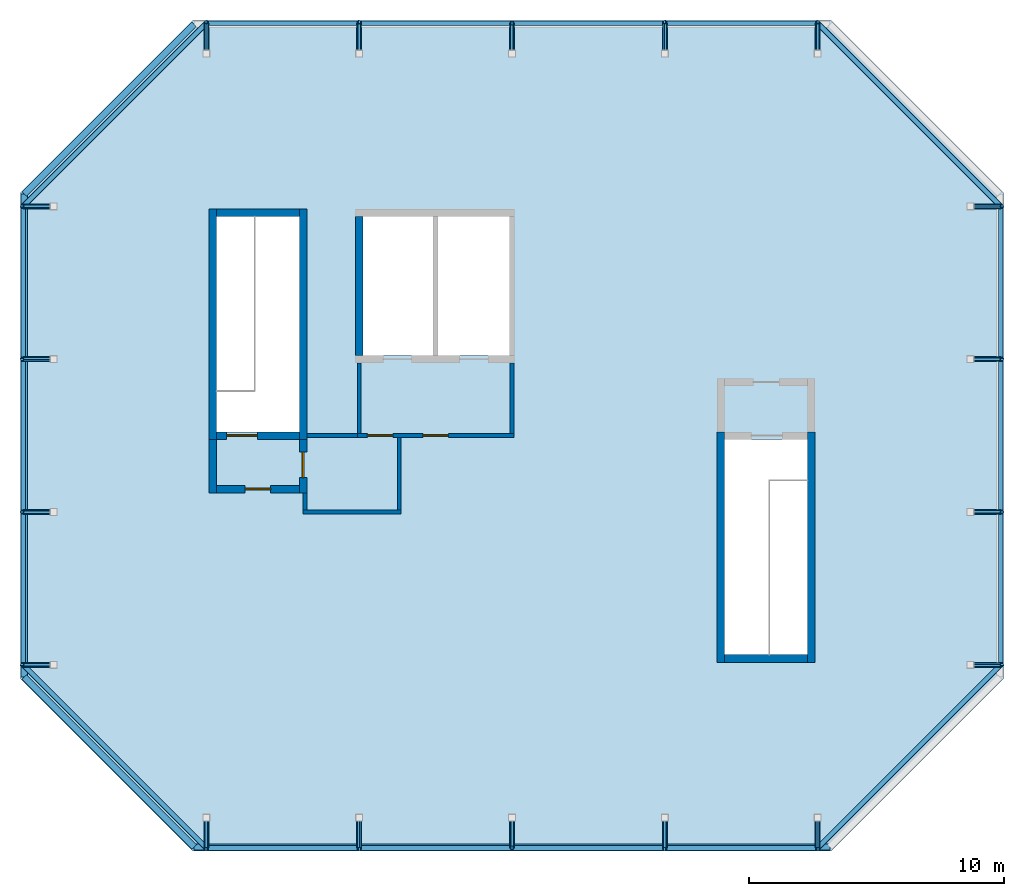
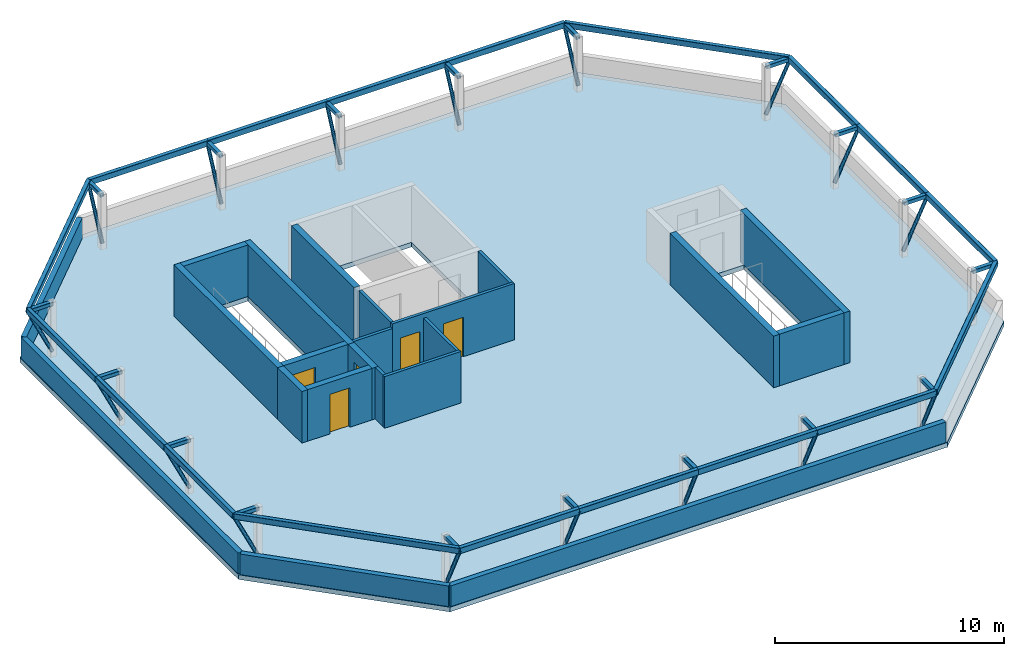
# One storey, part 3 of 6: 36 beams, 22 walls, 18 members, 5 doors, 1 slab, 5 openings.
"""IFC4 building model written with IfcOpenShell, lengths in metres."""

from ifc_helpers import new_model, si_unit, direction, frame, frame_2d, origin, origin_2d, place, context, subcontext, project, spatial, polyline, rectangle, hollow_rectangle, hollow_circle, outline, extrude, material, layer, layer_set, material_profile, profile_set, type_object, element, fill, save


model = new_model("IFC4")

# Units and contexts
model_context = context("Model", 3, precision=1e-05, world=origin(), true_north=direction((0.0, 1.0)))
body_context = subcontext(model_context, "Body", "Model", "MODEL_VIEW")
ifc_project = project(units=[si_unit("LENGTHUNIT", "METRE"), si_unit("AREAUNIT", "SQUARE_METRE"), si_unit("VOLUMEUNIT", "CUBIC_METRE"), si_unit("PLANEANGLEUNIT", "RADIAN"), si_unit("MASSUNIT", "GRAM", prefix="KILO")], contexts=[model_context])

# Site, building, storey
site_placement = place(None, origin())
site = spatial("IfcSite", under=ifc_project, at=site_placement, CompositionType="ELEMENT")
building_placement = place(site_placement, origin())
building = spatial("IfcBuilding", under=site, at=building_placement, Name="Highveld Stack Headquarters", CompositionType="ELEMENT")
storey_placement = place(building_placement, frame((0.0, 0.0, 305.699951171875)))
storey = spatial("IfcBuildingStorey", under=building, at=storey_placement, Name="RF", CompositionType="ELEMENT", Elevation=305.699951171875)

# Beams
ifc_material_1 = material(Name="Steel S355JR", Category="steel")
ifc_material_profile_1 = material_profile(ifc_material_1, hollow_rectangle(XDim=0.199951171875, YDim=0.199951171875, WallThickness=0.010009765625, InnerFilletRadius=0.010009765625, OuterFilletRadius=0.014892578125, at=origin_2d()), Name="200x200x10 SHS")
ifc_profile_set_1 = profile_set([ifc_material_profile_1], Name="Steel S355JR")
beam_type_1 = type_object("IfcBeamType", Name="LANTERN ARM 200x200x10 SHS", PredefinedType="BEAM", material=ifc_profile_set_1)
for number, where, z_axis, x_axis, name in (
    (1, (-12.0, -6.0, 2.800048828125), (-1.0, 0.0, 0.0), (0.0, -1.0, 0.0), "Lantern arm 4/D"),
    (2, (-12.0, 0.0, 2.800048828125), (-1.0, 0.0, 0.0), (0.0, -1.0, 0.0), "Lantern arm 4/E"),
    (3, (-12.0, 6.0, 2.800048828125), (-1.0, 0.0, 0.0), (0.0, -1.0, 0.0), "Lantern arm 4/F"),
    (4, (-12.0, 12.0, 2.800048828125), (-1.0, 0.0, 0.0), (0.0, -1.0, 0.0), "Lantern arm 4/G"),
    (5, (-6.0, -12.0, 2.800048828125), (0.0, -1.0, 0.0), (1.0, 0.0, 0.0), "Lantern arm 5/C"),
    (6, (-6.0, 18.0, 2.800048828125), (0.0, 1.0, 0.0), (-1.0, 0.0, 0.0), "Lantern arm 5/H"),
    (7, (0.0, -12.0, 2.800048828125), (0.0, -1.0, 0.0), (1.0, 0.0, 0.0), "Lantern arm 6/C"),
    (8, (0.0, 18.0, 2.800048828125), (0.0, 1.0, 0.0), (-1.0, 0.0, 0.0), "Lantern arm 6/H"),
    (9, (6.0, -12.0, 2.800048828125), (0.0, -1.0, 0.0), (1.0, 0.0, 0.0), "Lantern arm 7/C"),
    (10, (6.0, 18.0, 2.800048828125), (0.0, 1.0, 0.0), (-1.0, 0.0, 0.0), "Lantern arm 7/H"),
    (11, (12.0, -12.0, 2.800048828125), (0.0, -1.0, 0.0), (1.0, 0.0, 0.0), "Lantern arm 8/C"),
    (12, (12.0, 18.0, 2.800048828125), (0.0, 1.0, 0.0), (-1.0, 0.0, 0.0), "Lantern arm 8/H"),
    (13, (18.0, -12.0, 2.800048828125), (0.0, -1.0, 0.0), (1.0, 0.0, 0.0), "Lantern arm 9/C"),
    (14, (18.0, 18.0, 2.800048828125), (0.0, 1.0, 0.0), (-1.0, 0.0, 0.0), "Lantern arm 9/H"),
    (15, (24.0, -6.0, 2.800048828125), (1.0, 0.0, 0.0), (0.0, 1.0, 0.0), "Lantern arm 10/D"),
    (16, (24.0, 0.0, 2.800048828125), (1.0, 0.0, 0.0), (0.0, 1.0, 0.0), "Lantern arm 10/E"),
    (17, (24.0, 6.0, 2.800048828125), (1.0, 0.0, 0.0), (0.0, 1.0, 0.0), "Lantern arm 10/F"),
    (18, (24.0, 12.0, 2.800048828125), (1.0, 0.0, 0.0), (0.0, 1.0, 0.0), "Lantern arm 10/G"),
):
    element("IfcBeam", number, at=place(storey_placement, frame(where, z_axis=z_axis, x_axis=x_axis)), inside=storey, type_object=beam_type_1, Name=name, PredefinedType="BEAM", context=body_context, shape_type="SweptSolid", body=[
        extrude(hollow_rectangle(XDim=0.199951171875, YDim=0.199951171875, WallThickness=0.010009765625, InnerFilletRadius=0.010009765625, OuterFilletRadius=0.014892578125, at=origin_2d()), origin(), (0.0, 0.0, 1.0), 1.18994140625),
    ])
ifc_material_2 = material(Name="Steel S355JR", Category="steel")
ifc_material_profile_2 = material_profile(ifc_material_2, hollow_rectangle(XDim=0.199951171875, YDim=0.300048828125, WallThickness=0.010009765625, InnerFilletRadius=0.010009765625, OuterFilletRadius=0.014892578125, at=origin_2d()), Name="300x200x10 RHS")
ifc_profile_set_2 = profile_set([ifc_material_profile_2], Name="Steel S355JR")
beam_type_2 = type_object("IfcBeamType", Name="LANTERN CAP RING 300x200x10 RHS", PredefinedType="BEAM", material=ifc_profile_set_2)
beam_1_placement = place(storey_placement, frame((-13.18994140625, 0.0, 2.800048828125), z_axis=(0.0, -1.0, 0.0), x_axis=(1.0, 0.0, 0.0)))
element("IfcBeam", 19, at=beam_1_placement, inside=storey, type_object=beam_type_2, Name="Lantern cap ring 01", PredefinedType="BEAM", context=body_context, shape_type="SweptSolid", body=[
    extrude(hollow_rectangle(XDim=0.199951171875, YDim=0.300048828125, WallThickness=0.010009765625, InnerFilletRadius=0.010009765625, OuterFilletRadius=0.014892578125, at=origin_2d()), origin(), (0.0, 0.0, 1.0), 6.0),
])
beam_2_placement = place(storey_placement, frame((-13.18994140625, -6.0, 2.800048828125), z_axis=(0.707106781187, -0.707106781187, 0.0), x_axis=(0.707106781187, 0.707106781187, 0.0)))
element("IfcBeam", 20, at=beam_2_placement, inside=storey, type_object=beam_type_2, Name="Lantern cap ring 02", PredefinedType="BEAM", context=body_context, shape_type="SweptSolid", body=[
    extrude(hollow_rectangle(XDim=0.199951171875, YDim=0.300048828125, WallThickness=0.010009765625, InnerFilletRadius=0.010009765625, OuterFilletRadius=0.014892578125, at=origin_2d()), origin(), (0.0, 0.0, 1.0), 10.168212890625),
])
for number, where, z_axis, x_axis, name in (
    (21, (-6.0, -13.18994140625, 2.800048828125), (1.0, 0.0, 0.0), (0.0, 1.0, 0.0), "Lantern cap ring 03"),
    (22, (0.0, -13.18994140625, 2.800048828125), (1.0, 0.0, 0.0), (0.0, 1.0, 0.0), "Lantern cap ring 04"),
    (23, (6.0, -13.18994140625, 2.800048828125), (1.0, 0.0, 0.0), (0.0, 1.0, 0.0), "Lantern cap ring 05"),
    (24, (12.0, -13.18994140625, 2.800048828125), (1.0, 0.0, 0.0), (0.0, 1.0, 0.0), "Lantern cap ring 06"),
):
    element("IfcBeam", number, at=place(storey_placement, frame(where, z_axis=z_axis, x_axis=x_axis)), inside=storey, type_object=beam_type_2, Name=name, PredefinedType="BEAM", context=body_context, shape_type="SweptSolid", body=[
        extrude(hollow_rectangle(XDim=0.199951171875, YDim=0.300048828125, WallThickness=0.010009765625, InnerFilletRadius=0.010009765625, OuterFilletRadius=0.014892578125, at=origin_2d()), origin(), (0.0, 0.0, 1.0), 6.0),
    ])
beam_3_placement = place(storey_placement, frame((18.0, -13.18994140625, 2.800048828125), z_axis=(0.707106781187, 0.707106781187, 0.0), x_axis=(-0.707106781187, 0.707106781187, 0.0)))
element("IfcBeam", 25, at=beam_3_placement, inside=storey, type_object=beam_type_2, Name="Lantern cap ring 07", PredefinedType="BEAM", context=body_context, shape_type="SweptSolid", body=[
    extrude(hollow_rectangle(XDim=0.199951171875, YDim=0.300048828125, WallThickness=0.010009765625, InnerFilletRadius=0.010009765625, OuterFilletRadius=0.014892578125, at=origin_2d()), origin(), (0.0, 0.0, 1.0), 10.168212890625),
])
for number, where, z_axis, x_axis, name in (
    (26, (25.18994140625, -6.0, 2.800048828125), (0.0, 1.0, 0.0), (-1.0, 0.0, 0.0), "Lantern cap ring 08"),
    (27, (25.18994140625, 0.0, 2.800048828125), (0.0, 1.0, 0.0), (-1.0, 0.0, 0.0), "Lantern cap ring 09"),
    (28, (25.18994140625, 6.0, 2.800048828125), (0.0, 1.0, 0.0), (-1.0, 0.0, 0.0), "Lantern cap ring 10"),
):
    element("IfcBeam", number, at=place(storey_placement, frame(where, z_axis=z_axis, x_axis=x_axis)), inside=storey, type_object=beam_type_2, Name=name, PredefinedType="BEAM", context=body_context, shape_type="SweptSolid", body=[
        extrude(hollow_rectangle(XDim=0.199951171875, YDim=0.300048828125, WallThickness=0.010009765625, InnerFilletRadius=0.010009765625, OuterFilletRadius=0.014892578125, at=origin_2d()), origin(), (0.0, 0.0, 1.0), 6.0),
    ])
beam_4_placement = place(storey_placement, frame((25.18994140625, 12.0, 2.800048828125), z_axis=(-0.707106781187, 0.707106781187, 0.0), x_axis=(-0.707106781187, -0.707106781187, 0.0)))
element("IfcBeam", 29, at=beam_4_placement, inside=storey, type_object=beam_type_2, Name="Lantern cap ring 11", PredefinedType="BEAM", context=body_context, shape_type="SweptSolid", body=[
    extrude(hollow_rectangle(XDim=0.199951171875, YDim=0.300048828125, WallThickness=0.010009765625, InnerFilletRadius=0.010009765625, OuterFilletRadius=0.014892578125, at=origin_2d()), origin(), (0.0, 0.0, 1.0), 10.168212890625),
])
for number, where, z_axis, x_axis, name in (
    (30, (18.0, 19.18994140625, 2.800048828125), (-1.0, 0.0, 0.0), (0.0, -1.0, 0.0), "Lantern cap ring 12"),
    (31, (12.0, 19.18994140625, 2.800048828125), (-1.0, 0.0, 0.0), (0.0, -1.0, 0.0), "Lantern cap ring 13"),
    (32, (6.0, 19.18994140625, 2.800048828125), (-1.0, 0.0, 0.0), (0.0, -1.0, 0.0), "Lantern cap ring 14"),
    (33, (0.0, 19.18994140625, 2.800048828125), (-1.0, 0.0, 0.0), (0.0, -1.0, 0.0), "Lantern cap ring 15"),
):
    element("IfcBeam", number, at=place(storey_placement, frame(where, z_axis=z_axis, x_axis=x_axis)), inside=storey, type_object=beam_type_2, Name=name, PredefinedType="BEAM", context=body_context, shape_type="SweptSolid", body=[
        extrude(hollow_rectangle(XDim=0.199951171875, YDim=0.300048828125, WallThickness=0.010009765625, InnerFilletRadius=0.010009765625, OuterFilletRadius=0.014892578125, at=origin_2d()), origin(), (0.0, 0.0, 1.0), 6.0),
    ])
beam_5_placement = place(storey_placement, frame((-6.0, 19.18994140625, 2.800048828125), z_axis=(-0.707106781187, -0.707106781187, 0.0), x_axis=(0.707106781187, -0.707106781187, 0.0)))
element("IfcBeam", 34, at=beam_5_placement, inside=storey, type_object=beam_type_2, Name="Lantern cap ring 16", PredefinedType="BEAM", context=body_context, shape_type="SweptSolid", body=[
    extrude(hollow_rectangle(XDim=0.199951171875, YDim=0.300048828125, WallThickness=0.010009765625, InnerFilletRadius=0.010009765625, OuterFilletRadius=0.014892578125, at=origin_2d()), origin(), (0.0, 0.0, 1.0), 10.168212890625),
])
for number, where, z_axis, x_axis, name in (
    (35, (-13.18994140625, 12.0, 2.800048828125), (0.0, -1.0, 0.0), (1.0, 0.0, 0.0), "Lantern cap ring 17"),
    (36, (-13.18994140625, 6.0, 2.800048828125), (0.0, -1.0, 0.0), (1.0, 0.0, 0.0), "Lantern cap ring 18"),
):
    element("IfcBeam", number, at=place(storey_placement, frame(where, z_axis=z_axis, x_axis=x_axis)), inside=storey, type_object=beam_type_2, Name=name, PredefinedType="BEAM", context=body_context, shape_type="SweptSolid", body=[
        extrude(hollow_rectangle(XDim=0.199951171875, YDim=0.300048828125, WallThickness=0.010009765625, InnerFilletRadius=0.010009765625, OuterFilletRadius=0.014892578125, at=origin_2d()), origin(), (0.0, 0.0, 1.0), 6.0),
    ])

# Members
ifc_material_3 = material(Name="Steel S355JR", Category="steel")
ifc_material_profile_3 = material_profile(ifc_material_3, hollow_circle(Radius=0.084228515625, WallThickness=0.00634765625, at=origin_2d()), Name="168.3x6.3 CHS")
ifc_profile_set_3 = profile_set([ifc_material_profile_3], Name="Steel S355JR")
member_type = type_object("IfcMemberType", Name="LANTERN KICKER 168.3x6.3 CHS", PredefinedType="BRACE", material=ifc_profile_set_3)
for number, where, z_axis, x_axis, name in (
    (37, (-12.0, -6.0, 0.25), (-0.437302004591, 0.0, 0.899314715092), (0.0, -1.0, 0.0), "Lantern kicker 4/D"),
    (38, (-12.0, 0.0, 0.25), (-0.437302004591, 0.0, 0.899314715092), (0.0, -1.0, 0.0), "Lantern kicker 4/E"),
    (39, (-12.0, 6.0, 0.25), (-0.437302004591, 0.0, 0.899314715092), (0.0, -1.0, 0.0), "Lantern kicker 4/F"),
    (40, (-12.0, 12.0, 0.25), (-0.437302004591, 0.0, 0.899314715092), (0.0, -1.0, 0.0), "Lantern kicker 4/G"),
    (41, (-6.0, -12.0, 0.25), (0.0, -0.437302004591, 0.899314715092), (1.0, 0.0, 0.0), "Lantern kicker 5/C"),
    (42, (-6.0, 18.0, 0.25), (0.0, 0.437302004591, 0.899314715092), (-1.0, 0.0, 0.0), "Lantern kicker 5/H"),
    (43, (0.0, -12.0, 0.25), (0.0, -0.437302004591, 0.899314715092), (1.0, 0.0, 0.0), "Lantern kicker 6/C"),
    (44, (0.0, 18.0, 0.25), (0.0, 0.437302004591, 0.899314715092), (-1.0, 0.0, 0.0), "Lantern kicker 6/H"),
):
    element("IfcMember", number, at=place(storey_placement, frame(where, z_axis=z_axis, x_axis=x_axis)), inside=storey, type_object=member_type, Name=name, PredefinedType="BRACE", context=body_context, shape_type="SweptSolid", body=[
        extrude(hollow_circle(Radius=0.084228515625, WallThickness=0.00634765625, at=origin_2d()), origin(), (0.0, 0.0, 1.0), 2.83544921875),
    ])
for number, where, z_axis, x_axis, name in (
    (45, (6.0, -12.0, 0.25), (0.0, -0.422861717377, 0.906194221995), (1.0, 0.0, 0.0), "Lantern kicker 7/C"),
    (46, (6.0, 18.0, 0.25), (0.0, 0.422861717377, 0.906194221995), (-1.0, 0.0, 0.0), "Lantern kicker 7/H"),
):
    element("IfcMember", number, at=place(storey_placement, frame(where, z_axis=z_axis, x_axis=x_axis)), inside=storey, type_object=member_type, Name=name, PredefinedType="BRACE", context=body_context, shape_type="SweptSolid", body=[
        extrude(hollow_circle(Radius=0.084228515625, WallThickness=0.00634765625, at=origin_2d()), origin(), (0.0, 0.0, 1.0), 2.81396484375),
    ])
for number, where, z_axis, x_axis, name in (
    (47, (12.0, -12.0, 0.25), (0.0, -0.437302004591, 0.899314715092), (1.0, 0.0, 0.0), "Lantern kicker 8/C"),
    (48, (12.0, 18.0, 0.25), (0.0, 0.437302004591, 0.899314715092), (-1.0, 0.0, 0.0), "Lantern kicker 8/H"),
    (49, (18.0, -12.0, 0.25), (0.0, -0.437302004591, 0.899314715092), (1.0, 0.0, 0.0), "Lantern kicker 9/C"),
    (50, (18.0, 18.0, 0.25), (0.0, 0.437302004591, 0.899314715092), (-1.0, 0.0, 0.0), "Lantern kicker 9/H"),
    (51, (24.0, -6.0, 0.25), (0.437302004591, 0.0, 0.899314715092), (0.0, 1.0, 0.0), "Lantern kicker 10/D"),
    (52, (24.0, 0.0, 0.25), (0.437302004591, 0.0, 0.899314715092), (0.0, 1.0, 0.0), "Lantern kicker 10/E"),
    (53, (24.0, 6.0, 0.25), (0.437302004591, 0.0, 0.899314715092), (0.0, 1.0, 0.0), "Lantern kicker 10/F"),
    (54, (24.0, 12.0, 0.25), (0.437302004591, 0.0, 0.899314715092), (0.0, 1.0, 0.0), "Lantern kicker 10/G"),
):
    element("IfcMember", number, at=place(storey_placement, frame(where, z_axis=z_axis, x_axis=x_axis)), inside=storey, type_object=member_type, Name=name, PredefinedType="BRACE", context=body_context, shape_type="SweptSolid", body=[
        extrude(hollow_circle(Radius=0.084228515625, WallThickness=0.00634765625, at=origin_2d()), origin(), (0.0, 0.0, 1.0), 2.83544921875),
    ])

# Slab
ifc_material_4 = material(Name="Concrete C60/75", Category="concrete")
ifc_layer_1 = layer(ifc_material_4, 0.25)
ifc_layer_set_1 = layer_set([ifc_layer_1], Name="Concrete C60/75")
slab_type = type_object("IfcSlabType", Name="ROOF SLAB 250", PredefinedType="ROOF", material=ifc_layer_set_1)
slab_placement = place(storey_placement, frame((0.0, 0.0, -0.25)))
element("IfcSlab", 55, at=slab_placement, inside=storey, type_object=slab_type, Name="Roof slab RF", PredefinedType="ROOF", context=body_context, shape_type="SweptSolid", body=[
    extrude(outline(polyline([(-6.53857421875, -13.300048828125), (18.53857421875, -13.300048828125), (25.300048828125, -6.53857421875), (25.300048828125, 12.53857421875), (18.53857421875, 19.300048828125), (-6.53857421875, 19.300048828125), (-13.300048828125, 12.53857421875), (-13.300048828125, -6.53857421875), (-6.53857421875, -13.300048828125)]), holes=[polyline([(0.14990234375, 6.14990234375), (5.89990234375, 6.14990234375), (5.89990234375, 11.60009765625), (0.14990234375, 11.60009765625), (0.14990234375, 6.14990234375)]), polyline([(-5.60009765625, 3.14990234375), (-2.35009765625, 3.14990234375), (-2.35009765625, 11.60009765625), (-5.60009765625, 11.60009765625), (-5.60009765625, 3.14990234375)]), polyline([(14.35009765625, -5.60009765625), (17.60009765625, -5.60009765625), (17.60009765625, 2.85009765625), (14.35009765625, 2.85009765625), (14.35009765625, -5.60009765625)])]), origin(), (0.0, 0.0, 1.0), 0.25),
])

# Wall
ifc_material_5 = material(Name="Concrete C60/75", Category="concrete")
ifc_layer_2 = layer(ifc_material_5, 0.300048828125)
ifc_layer_set_2 = layer_set([ifc_layer_2], Name="Concrete C60/75")
wall_type_1 = type_object("IfcWallType", Name="CORE WALL 300 C60/75", PredefinedType="SHEAR", material=ifc_layer_set_2)
wall_1_placement = place(storey_placement, frame((0.0, 6.14990234375, 0.0), z_axis=(0.0, 0.0, 1.0), x_axis=(0.0, 1.0, 0.0)))
element("IfcWall", 56, at=wall_1_placement, inside=storey, type_object=wall_type_1, Name="Lift penthouse wall W", PredefinedType="SHEAR", context=body_context, shape_type="SweptSolid", body=[
    extrude(rectangle(XDim=5.4501953125, YDim=0.300048828125, at=frame_2d((2.72509765625, 0.0))), origin(), (0.0, 0.0, 1.0), 3.0),
])

# Wall, openings, doors
ifc_material_6 = material(Name="Concrete blockwork, plastered", Category="masonry")
ifc_layer_3 = layer(ifc_material_6, 0.14990234375)
ifc_layer_set_3 = layer_set([ifc_layer_3], Name="Concrete blockwork, plastered")
wall_type_2 = type_object("IfcWallType", Name="FIRE PARTITION 150 BLOCKWORK", PredefinedType="PARTITIONING", material=ifc_layer_set_3)
wall_2_placement = place(storey_placement, frame((-0.074951171875, 3.0, 0.0), z_axis=(0.0, 0.0, 1.0), x_axis=(1.0, 0.0, 0.0)))
wall_2 = element("IfcWall", 57, at=wall_2_placement, inside=storey, type_object=wall_type_2, Name="Roof lift lobby wall LS", PredefinedType="PARTITIONING", context=body_context, shape_type="SweptSolid", body=[
    extrude(rectangle(XDim=6.14990234375, YDim=0.14990234375, at=frame_2d((3.074951171875, 0.0))), origin(), (0.0, 0.0, 1.0), 3.0),
])
opening_1_placement = place(wall_2_placement, frame((2.574951171875, 0.0, 0.0)))
opening_1 = element("IfcOpeningElement", 58, at=opening_1_placement, cuts=wall_2, Name="Opening RF-01", PredefinedType="OPENING", context=body_context, shape_type="SweptSolid", body=[
    extrude(rectangle(XDim=1.0, YDim=2.10009765625, at=frame_2d((0.5, 1.050048828125))), frame((0.0, 0.0849609375, 0.0), z_axis=(0.0, -1.0, 0.0), x_axis=(1.0, 0.0, 0.0)), (0.0, 0.0, 1.0), 0.169921875),
])
opening_2_placement = place(wall_2_placement, frame((0.39990234375, 0.0, 0.0)))
opening_2 = element("IfcOpeningElement", 59, at=opening_2_placement, cuts=wall_2, Name="Opening RF-02", PredefinedType="OPENING", context=body_context, shape_type="SweptSolid", body=[
    extrude(rectangle(XDim=1.0, YDim=2.10009765625, at=frame_2d((0.5, 1.050048828125))), frame((0.0, 0.0849609375, 0.0), z_axis=(0.0, -1.0, 0.0), x_axis=(1.0, 0.0, 0.0)), (0.0, 0.0, 1.0), 0.169921875),
])
ifc_material_7 = material(Name="Steel fire door", Category="steel")
door_type_1 = type_object("IfcDoorType", Name="CORE ROOM FIRE DOOR D14 1000x2100", OperationType="SINGLE_SWING_LEFT", PredefinedType="DOOR", material=ifc_material_7)
door_1_placement = place(opening_2_placement, origin())
door_1 = element("IfcDoor", 60, at=door_1_placement, inside=storey, type_object=door_type_1, Name="Roof link door RF", OperationType="SINGLE_SWING_LEFT", OverallHeight=2.10009765625, OverallWidth=1.0, PredefinedType="DOOR", context=body_context, shape_type="SweptSolid", body=[
    extrude(rectangle(XDim=1.0, YDim=2.10009765625, at=frame_2d((0.5, 1.050048828125))), frame((0.0, 0.02490234375, 0.0), z_axis=(0.0, -1.0, 0.0), x_axis=(1.0, 0.0, 0.0)), (0.0, 0.0, 1.0), 0.050048828125),
])
fill(opening_2, door_1)
ifc_material_8 = material(Name="Galvanised steel door, weather-sealed", Category="steel")
door_type_2 = type_object("IfcDoorType", Name="ROOF ACCESS DOOR D12 1000x2100", OperationType="SINGLE_SWING_RIGHT", PredefinedType="DOOR", material=ifc_material_8)
door_2_placement = place(opening_1_placement, origin())
door_2 = element("IfcDoor", 61, at=door_2_placement, inside=storey, type_object=door_type_2, Name="Roof lift lobby door RF", OperationType="SINGLE_SWING_LEFT", OverallHeight=2.10009765625, OverallWidth=1.0, PredefinedType="DOOR", context=body_context, shape_type="SweptSolid", body=[
    extrude(rectangle(XDim=1.0, YDim=2.10009765625, at=frame_2d((0.5, 1.050048828125))), frame((0.0, 0.02490234375, 0.0), z_axis=(0.0, -1.0, 0.0), x_axis=(1.0, 0.0, 0.0)), (0.0, 0.0, 1.0), 0.050048828125),
])
fill(opening_1, door_2)

# Walls
for number, where, z_axis, x_axis, name in (
    (62, (0.0, 3.074951171875, 0.0), (0.0, 0.0, 1.0), (0.0, 1.0, 0.0), "Roof lift lobby wall LW"),
    (63, (6.0, 3.074951171875, 0.0), (0.0, 0.0, 1.0), (0.0, 1.0, 0.0), "Roof lift lobby wall LE"),
):
    element("IfcWall", number, at=place(storey_placement, frame(where, z_axis=z_axis, x_axis=x_axis)), inside=storey, type_object=wall_type_2, Name=name, PredefinedType="PARTITIONING", context=body_context, shape_type="SweptSolid", body=[
        extrude(rectangle(XDim=2.775146484375, YDim=0.14990234375, at=frame_2d((1.3876953125, 0.0))), origin(), (0.0, 0.0, 1.0), 3.0),
    ])
wall_3_placement = place(storey_placement, frame((-2.199951171875, 0.0, 0.0), z_axis=(0.0, 0.0, 1.0), x_axis=(1.0, 0.0, 0.0)))
element("IfcWall", 64, at=wall_3_placement, inside=storey, type_object=wall_type_2, Name="Roof link wall LkS", PredefinedType="PARTITIONING", context=body_context, shape_type="SweptSolid", body=[
    extrude(rectangle(XDim=3.849853515625, YDim=0.14990234375, at=frame_2d((1.9248046875, 0.0))), origin(), (0.0, 0.0, 1.0), 2.75),
])
wall_4_placement = place(storey_placement, frame((-2.050048828125, 3.0, 0.0), z_axis=(0.0, 0.0, 1.0), x_axis=(1.0, 0.0, 0.0)))
element("IfcWall", 65, at=wall_4_placement, inside=storey, type_object=wall_type_2, Name="Roof link wall LkN", PredefinedType="PARTITIONING", context=body_context, shape_type="SweptSolid", body=[
    extrude(rectangle(XDim=1.97509765625, YDim=0.14990234375, at=frame_2d((0.987548828125, 0.0))), origin(), (0.0, 0.0, 1.0), 2.75),
])
wall_5_placement = place(storey_placement, frame((1.574951171875, 0.074951171875, 0.0), z_axis=(0.0, 0.0, 1.0), x_axis=(0.0, 1.0, 0.0)))
element("IfcWall", 66, at=wall_5_placement, inside=storey, type_object=wall_type_2, Name="Roof link wall LkE", PredefinedType="PARTITIONING", context=body_context, shape_type="SweptSolid", body=[
    extrude(rectangle(XDim=2.85009765625, YDim=0.14990234375, at=frame_2d((1.425048828125, 0.0))), origin(), (0.0, 0.0, 1.0), 2.75),
])
wall_6_placement = place(storey_placement, frame((-2.125, 0.074951171875, 0.0), z_axis=(0.0, 0.0, 1.0), x_axis=(0.0, 1.0, 0.0)))
element("IfcWall", 67, at=wall_6_placement, inside=storey, type_object=wall_type_2, Name="Roof link wall LkW", PredefinedType="PARTITIONING", context=body_context, shape_type="SweptSolid", body=[
    extrude(rectangle(XDim=0.675048828125, YDim=0.14990234375, at=frame_2d((0.33740234375, 0.0))), origin(), (0.0, 0.0, 1.0), 2.75),
])
ifc_material_9 = material(Name="Concrete C40/50, precast parapet", Category="concrete")
ifc_layer_4 = layer(ifc_material_9, 0.25)
ifc_layer_set_4 = layer_set([ifc_layer_4], Name="Concrete C40/50, precast parapet")
wall_type_3 = type_object("IfcWallType", Name="PARAPET WALL PP1 250", PredefinedType="PARAPET", material=ifc_layer_set_4)
wall_7_placement = place(storey_placement, frame((-6.476318359375, -13.14990234375, 0.0), z_axis=(0.0, 0.0, 1.0), x_axis=(-0.707106781187, 0.707106781187, 0.0)))
element("IfcWall", 68, at=wall_7_placement, inside=storey, type_object=wall_type_3, Name="Roof parapet RF 1", PredefinedType="PARAPET", context=body_context, shape_type="SweptSolid", body=[
    extrude(rectangle(XDim=9.43798828125, YDim=0.25, at=frame_2d((4.718994140625, 0.0))), origin(), (0.0, 0.0, 1.0), 1.10009765625),
])
wall_8_placement = place(storey_placement, frame((-13.14990234375, -6.476318359375, 0.0), z_axis=(0.0, 0.0, 1.0), x_axis=(0.0, 1.0, 0.0)))
element("IfcWall", 69, at=wall_8_placement, inside=storey, type_object=wall_type_3, Name="Roof parapet RF 2", PredefinedType="PARAPET", context=body_context, shape_type="SweptSolid", body=[
    extrude(rectangle(XDim=18.95263671875, YDim=0.25, at=frame_2d((9.476318359375, 0.0))), origin(), (0.0, 0.0, 1.0), 1.10009765625),
])
wall_9_placement = place(storey_placement, frame((-13.14990234375, 12.476318359375, 0.0), z_axis=(0.0, 0.0, 1.0), x_axis=(0.707106781187, 0.707106781187, 0.0)))
element("IfcWall", 70, at=wall_9_placement, inside=storey, type_object=wall_type_3, Name="Roof parapet RF 3", PredefinedType="PARAPET", context=body_context, shape_type="SweptSolid", body=[
    extrude(rectangle(XDim=9.43798828125, YDim=0.25, at=frame_2d((4.718994140625, 0.0))), origin(), (0.0, 0.0, 1.0), 1.10009765625),
])
wall_10_placement = place(storey_placement, frame((18.476318359375, -13.14990234375, 0.0), z_axis=(0.0, 0.0, 1.0), x_axis=(-1.0, 0.0, 0.0)))
element("IfcWall", 71, at=wall_10_placement, inside=storey, type_object=wall_type_3, Name="Roof parapet RF 8", PredefinedType="PARAPET", context=body_context, shape_type="SweptSolid", body=[
    extrude(rectangle(XDim=24.95263671875, YDim=0.25, at=frame_2d((12.476318359375, 0.0))), origin(), (0.0, 0.0, 1.0), 1.10009765625),
])
ifc_material_10 = material(Name="Concrete blockwork, plastered", Category="masonry")
ifc_layer_5 = layer(ifc_material_10, 0.300048828125)
ifc_layer_set_5 = layer_set([ifc_layer_5], Name="Concrete blockwork, plastered")
wall_type_4 = type_object("IfcWallType", Name="STAIR ENCLOSURE HEAD WALL 300 BLOCKWORK", PredefinedType="PARTITIONING", material=ifc_layer_set_5)
wall_11_placement = place(storey_placement, frame((-5.75, 0.75, 0.0), z_axis=(0.0, 0.0, 1.0), x_axis=(0.0, 1.0, 0.0)))
element("IfcWall", 72, at=wall_11_placement, inside=storey, type_object=wall_type_4, Name="Stair S1 head-house wall LW", PredefinedType="PARTITIONING", context=body_context, shape_type="SweptSolid", body=[
    extrude(rectangle(XDim=2.10009765625, YDim=0.300048828125, at=frame_2d((1.050048828125, 0.0))), origin(), (0.0, 0.0, 1.0), 2.75),
])

# Wall, opening, door
wall_12_placement = place(storey_placement, frame((-2.199951171875, 0.75, 0.0), z_axis=(0.0, 0.0, 1.0), x_axis=(0.0, 1.0, 0.0)))
wall_12 = element("IfcWall", 73, at=wall_12_placement, inside=storey, type_object=wall_type_4, Name="Stair S1 head-house wall LE", PredefinedType="PARTITIONING", context=body_context, shape_type="SweptSolid", body=[
    extrude(rectangle(XDim=2.10009765625, YDim=0.300048828125, at=frame_2d((1.050048828125, 0.0))), origin(), (0.0, 0.0, 1.0), 2.75),
])
opening_3_placement = place(wall_12_placement, frame((0.60009765625, 0.0, 0.0)))
opening_3 = element("IfcOpeningElement", 74, at=opening_3_placement, cuts=wall_12, Name="Opening RF-03", PredefinedType="OPENING", context=body_context, shape_type="SweptSolid", body=[
    extrude(rectangle(XDim=1.0, YDim=2.10009765625, at=frame_2d((0.5, 1.050048828125))), frame((0.0, 0.159912109375, 0.0), z_axis=(0.0, -1.0, 0.0), x_axis=(1.0, 0.0, 0.0)), (0.0, 0.0, 1.0), 0.320068359375),
])
door_3_placement = place(opening_3_placement, origin())
door_3 = element("IfcDoor", 75, at=door_3_placement, inside=storey, type_object=door_type_1, Name="Roof link stair door RF", OperationType="SINGLE_SWING_RIGHT", OverallHeight=2.10009765625, OverallWidth=1.0, PredefinedType="DOOR", context=body_context, shape_type="SweptSolid", body=[
    extrude(rectangle(XDim=1.0, YDim=2.10009765625, at=frame_2d((0.5, 1.050048828125))), frame((0.0, 0.02490234375, 0.0), z_axis=(0.0, -1.0, 0.0), x_axis=(1.0, 0.0, 0.0)), (0.0, 0.0, 1.0), 0.050048828125),
])
fill(opening_3, door_3)

wall_13_placement = place(storey_placement, frame((-5.60009765625, 0.89990234375, 0.0), z_axis=(0.0, 0.0, 1.0), x_axis=(1.0, 0.0, 0.0)))
wall_13 = element("IfcWall", 76, at=wall_13_placement, inside=storey, type_object=wall_type_4, Name="Stair S1 head-house wall OUT", PredefinedType="PARTITIONING", context=body_context, shape_type="SweptSolid", body=[
    extrude(rectangle(XDim=3.25, YDim=0.300048828125, at=frame_2d((1.625, 0.0))), origin(), (0.0, 0.0, 1.0), 2.75),
])
opening_4_placement = place(wall_13_placement, frame((1.125, 0.0, 0.0)))
opening_4 = element("IfcOpeningElement", 77, at=opening_4_placement, cuts=wall_13, Name="Opening RF-05", PredefinedType="OPENING", context=body_context, shape_type="SweptSolid", body=[
    extrude(rectangle(XDim=1.0, YDim=2.10009765625, at=frame_2d((0.5, 1.050048828125))), frame((0.0, 0.159912109375, 0.0), z_axis=(0.0, -1.0, 0.0), x_axis=(1.0, 0.0, 0.0)), (0.0, 0.0, 1.0), 0.320068359375),
])
door_4_placement = place(opening_4_placement, origin())
door_4 = element("IfcDoor", 78, at=door_4_placement, inside=storey, type_object=door_type_2, Name="Roof access door S1 RF", OperationType="SINGLE_SWING_LEFT", OverallHeight=2.10009765625, OverallWidth=1.0, PredefinedType="DOOR", context=body_context, shape_type="SweptSolid", body=[
    extrude(rectangle(XDim=1.0, YDim=2.10009765625, at=frame_2d((0.5, 1.050048828125))), frame((0.0, 0.02490234375, 0.0), z_axis=(0.0, -1.0, 0.0), x_axis=(1.0, 0.0, 0.0)), (0.0, 0.0, 1.0), 0.050048828125),
])
fill(opening_4, door_4)

# Walls
ifc_material_11 = material(Name="Concrete C40/50", Category="concrete")
ifc_layer_6 = layer(ifc_material_11, 0.300048828125)
ifc_layer_set_6 = layer_set([ifc_layer_6], Name="Concrete C40/50")
wall_type_5 = type_object("IfcWallType", Name="STAIR ENCLOSURE WALL 300", PredefinedType="SOLIDWALL", material=ifc_layer_set_6)
for number, where, z_axis, x_axis, name in (
    (79, (-5.75, 2.85009765625, 0.0), (0.0, 0.0, 1.0), (0.0, 1.0, 0.0), "Stair S1 head-house wall W"),
    (80, (-2.199951171875, 2.85009765625, 0.0), (0.0, 0.0, 1.0), (0.0, 1.0, 0.0), "Stair S1 head-house wall E"),
):
    element("IfcWall", number, at=place(storey_placement, frame(where, z_axis=z_axis, x_axis=x_axis)), inside=storey, type_object=wall_type_5, Name=name, PredefinedType="SOLIDWALL", context=body_context, shape_type="SweptSolid", body=[
        extrude(rectangle(XDim=9.0498046875, YDim=0.300048828125, at=frame_2d((4.52490234375, 0.0))), origin(), (0.0, 0.0, 1.0), 2.75),
    ])
wall_14_placement = place(storey_placement, frame((-5.60009765625, 11.75, 0.0), z_axis=(0.0, 0.0, 1.0), x_axis=(1.0, 0.0, 0.0)))
element("IfcWall", 81, at=wall_14_placement, inside=storey, type_object=wall_type_5, Name="Stair S1 head-house wall FAR", PredefinedType="SOLIDWALL", context=body_context, shape_type="SweptSolid", body=[
    extrude(rectangle(XDim=3.25, YDim=0.300048828125, at=frame_2d((1.625, 0.0))), origin(), (0.0, 0.0, 1.0), 2.75),
])

# Wall, opening, door
wall_15_placement = place(storey_placement, frame((-5.60009765625, 3.0, 0.0), z_axis=(0.0, 0.0, 1.0), x_axis=(1.0, 0.0, 0.0)))
wall_15 = element("IfcWall", 82, at=wall_15_placement, inside=storey, type_object=wall_type_5, Name="Stair S1 head-house wall DOOR", PredefinedType="SOLIDWALL", context=body_context, shape_type="SweptSolid", body=[
    extrude(rectangle(XDim=3.25, YDim=0.300048828125, at=frame_2d((1.625, 0.0))), origin(), (0.0, 0.0, 1.0), 2.75),
])
opening_5_placement = place(wall_15_placement, frame((0.39990234375, 0.0, 0.0)))
opening_5 = element("IfcOpeningElement", 83, at=opening_5_placement, cuts=wall_15, Name="Opening RF-04", PredefinedType="OPENING", context=body_context, shape_type="SweptSolid", body=[
    extrude(rectangle(XDim=1.199951171875, YDim=2.10009765625, at=frame_2d((0.60009765625, 1.050048828125))), frame((0.0, 0.159912109375, 0.0), z_axis=(0.0, -1.0, 0.0), x_axis=(1.0, 0.0, 0.0)), (0.0, 0.0, 1.0), 0.320068359375),
])
ifc_material_12 = material(Name="Steel fire door", Category="steel")
door_type_3 = type_object("IfcDoorType", Name="STAIR FIRE DOOR D3 1200x2100", OperationType="SINGLE_SWING_LEFT", PredefinedType="DOOR", material=ifc_material_12)
door_5_placement = place(opening_5_placement, origin())
door_5 = element("IfcDoor", 84, at=door_5_placement, inside=storey, type_object=door_type_3, Name="Stair S1 door RF", OperationType="SINGLE_SWING_LEFT", OverallHeight=2.10009765625, OverallWidth=1.199951171875, PredefinedType="DOOR", context=body_context, shape_type="SweptSolid", body=[
    extrude(rectangle(XDim=1.199951171875, YDim=2.10009765625, at=frame_2d((0.60009765625, 1.050048828125))), frame((0.0, 0.02490234375, 0.0), z_axis=(0.0, -1.0, 0.0), x_axis=(1.0, 0.0, 0.0)), (0.0, 0.0, 1.0), 0.050048828125),
])
fill(opening_5, door_5)

# Walls
for number, where, z_axis, x_axis, name in (
    (85, (14.199951171875, -5.89990234375, 0.0), (0.0, 0.0, 1.0), (0.0, 1.0, 0.0), "Stair S2 head-house wall W"),
    (86, (17.75, -5.89990234375, 0.0), (0.0, 0.0, 1.0), (0.0, 1.0, 0.0), "Stair S2 head-house wall E"),
):
    element("IfcWall", number, at=place(storey_placement, frame(where, z_axis=z_axis, x_axis=x_axis)), inside=storey, type_object=wall_type_5, Name=name, PredefinedType="SOLIDWALL", context=body_context, shape_type="SweptSolid", body=[
        extrude(rectangle(XDim=9.0498046875, YDim=0.300048828125, at=frame_2d((4.52490234375, 0.0))), origin(), (0.0, 0.0, 1.0), 2.75),
    ])
wall_16_placement = place(storey_placement, frame((14.35009765625, -5.75, 0.0), z_axis=(0.0, 0.0, 1.0), x_axis=(1.0, 0.0, 0.0)))
element("IfcWall", 87, at=wall_16_placement, inside=storey, type_object=wall_type_5, Name="Stair S2 head-house wall FAR", PredefinedType="SOLIDWALL", context=body_context, shape_type="SweptSolid", body=[
    extrude(rectangle(XDim=3.25, YDim=0.300048828125, at=frame_2d((1.625, 0.0))), origin(), (0.0, 0.0, 1.0), 2.75),
])

save(model, "model.ifc")
